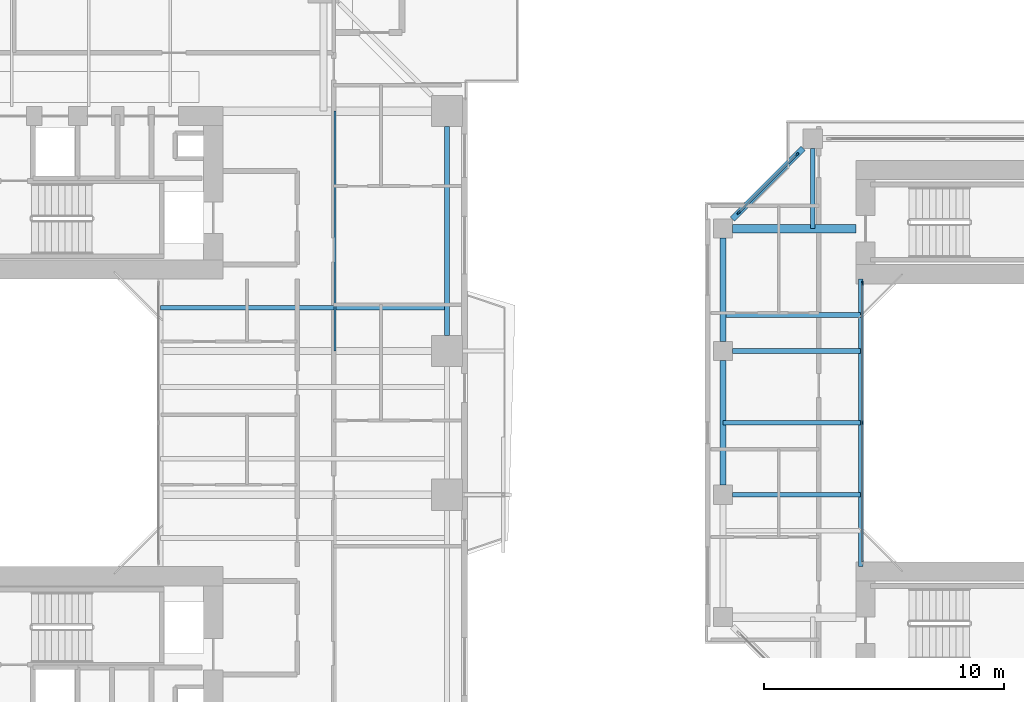
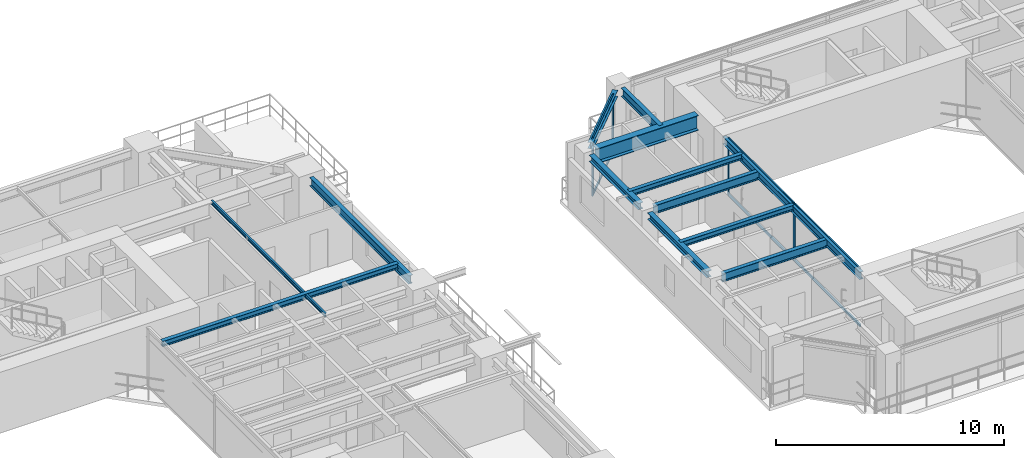
# One storey, part 8 of 23: 13 beams, 10 members, 2 elements without a shape of their own.
"""IFC4 building model written with IfcOpenShell, lengths in metres."""

import ifcopenshell
import ifcopenshell.guid

model = None  # the IFC model being written
_history = None  # IfcOwnerHistory: only IFC2X3 demands one
_inside = {}  # id of a spatial element -> (the spatial element, [elements in it])
_under = {}  # id of a project, library or spatial element -> (it, [spatial elements below it])
_declared = {}  # id of a project -> (the project, [libraries it declares])
_typed = {}  # id of a type object -> (the type object, [elements of that type])
_made_of = {}  # id of a material, layer set ... -> (it, [elements and type objects made of it])


def new_model(schema):
    """Start an empty IFC model of exactly this schema.

    Asked for "IFC4X3", IfcOpenShell would pick the latest addendum, in which some entities
    have other attributes; the version numbers below select the first issue.
    IFC2X3 requires an IfcOwnerHistory on every rooted entity: one is made here for all.
    """
    global model, _history
    if schema == "IFC4X3":
        model = ifcopenshell.file(schema_version=(4, 3, 0, 0))
    else:
        model = ifcopenshell.file(schema=schema)
    _inside.clear()
    _under.clear()
    _declared.clear()
    _typed.clear()
    _made_of.clear()
    _history = None
    if model.schema == "IFC2X3":
        org = make("IfcOrganization", Name="unknown")
        user = make(
            "IfcPersonAndOrganization",
            ThePerson=make("IfcPerson", FamilyName="unknown"),
            TheOrganization=org,
        )
        app = make(
            "IfcApplication",
            ApplicationDeveloper=org,
            Version="unknown",
            ApplicationFullName="unknown",
            ApplicationIdentifier="unknown",
        )
        _history = make(
            "IfcOwnerHistory",
            OwningUser=user,
            OwningApplication=app,
            ChangeAction="ADDED",
            CreationDate=0,
        )
    return model


def make(cls, **values):
    """One entity of the class cls with the attributes given. An attribute that is None is left unset."""
    return model.create_entity(
        cls, **{name: value for name, value in values.items() if value is not None}
    )


def rooted(cls, **values):
    """An entity with a GlobalId (a new one), such as an element, a storey or a relation."""
    return make(cls, GlobalId=ifcopenshell.guid.new(), OwnerHistory=_history, **values)


def si_unit(unit_type, name, prefix=None):
    """IfcSIUnit, for example si_unit("LENGTHUNIT", "METRE", prefix="MILLI")."""
    return make("IfcSIUnit", UnitType=unit_type, Prefix=prefix, Name=name)


def assignment(units):
    """IfcUnitAssignment: the units of a project."""
    return None if units is None else make("IfcUnitAssignment", Units=units)


def point(xyz):
    """IfcCartesianPoint."""
    return None if xyz is None else make("IfcCartesianPoint", Coordinates=xyz)


def direction(xyz):
    """IfcDirection."""
    return None if xyz is None else make("IfcDirection", DirectionRatios=xyz)


def frame(location, z_axis=None, x_axis=None):
    """IfcAxis2Placement3D, a coordinate frame: its origin and axes. An axis left out is left unset."""
    return make(
        "IfcAxis2Placement3D",
        Location=point(location),
        Axis=direction(z_axis),
        RefDirection=direction(x_axis),
    )


def frame_2d(location, x_axis=None):
    """IfcAxis2Placement2D, a coordinate frame in the plane: its origin and x axis."""
    return make(
        "IfcAxis2Placement2D", Location=point(location), RefDirection=direction(x_axis)
    )


def origin():
    """The frame at (0, 0, 0) with its axes left unset."""
    return frame((0.0, 0.0, 0.0))


def origin_2d():
    """The frame at (0, 0) in the plane with its x axis left unset."""
    return frame_2d((0.0, 0.0))


def place(relative_to, where):
    """IfcLocalPlacement: puts the frame where relative to a parent placement (None: the world)."""
    return make(
        "IfcLocalPlacement", PlacementRelTo=relative_to, RelativePlacement=where
    )


def context(
    kind, dimensions, precision=None, world=None, true_north=None, identifier=None
):
    """IfcGeometricRepresentationContext, for example the 3D "Model" context."""
    return make(
        "IfcGeometricRepresentationContext",
        ContextIdentifier=identifier,
        ContextType=kind,
        CoordinateSpaceDimension=dimensions,
        Precision=precision,
        WorldCoordinateSystem=world,
        TrueNorth=true_north,
    )


def subcontext(parent, identifier, kind, view, scale=None):
    """IfcGeometricRepresentationSubContext, for example "Body" below "Model"."""
    return make(
        "IfcGeometricRepresentationSubContext",
        ContextIdentifier=identifier,
        ContextType=kind,
        ParentContext=parent,
        TargetScale=scale,
        TargetView=view,
    )


def project(units=None, contexts=None):
    """IfcProject with its units and contexts."""
    return rooted(
        "IfcProject",
        Name="project",
        RepresentationContexts=contexts,
        UnitsInContext=assignment(units),
    )


def spatial(cls, under=None, at=None, **own):
    """A site, building, storey or space (cls), placed at a placement, below another one or the project."""
    s = rooted(cls, ObjectPlacement=at, **own)
    if under is not None:
        _under.setdefault(under.id(), (under, []))[1].append(s)
    return s


def profile(cls, at=None, kind="AREA", **sizes):
    """A parametric profile (cls). Its sizes go by their IFC names, for example OverallWidth=200.0."""
    return make(cls, ProfileType=kind, Position=at, **sizes)


def rectangle(**sizes):
    """IfcRectangleProfileDef."""
    return profile("IfcRectangleProfileDef", **sizes)


def i_section(**sizes):
    """IfcIShapeProfileDef."""
    return profile("IfcIShapeProfileDef", **sizes)


def extrude(swept, where, along, depth):
    """IfcExtrudedAreaSolid: the profile swept, set in the frame where, extruded along a direction by depth."""
    return make(
        "IfcExtrudedAreaSolid",
        SweptArea=swept,
        Position=where,
        ExtrudedDirection=direction(along),
        Depth=depth,
    )


def shape(context_of_items, identifier, shape_type, items):
    """IfcShapeRepresentation: the items that make up one representation, for example the "Body"."""
    return make(
        "IfcShapeRepresentation",
        ContextOfItems=context_of_items,
        RepresentationIdentifier=identifier,
        RepresentationType=shape_type,
        Items=items,
    )


def source(mapping_origin, context_of_items, identifier, shape_type, items):
    """IfcRepresentationMap: a shape defined once, which mapped items show again and again."""
    return make(
        "IfcRepresentationMap",
        MappingOrigin=mapping_origin,
        MappedRepresentation=shape(context_of_items, identifier, shape_type, items),
    )


def transform(
    local_origin,
    x_axis=None,
    y_axis=None,
    z_axis=None,
    scale=None,
    scale2=None,
    scale3=None,
    uniform=True,
):
    """IfcCartesianTransformationOperator3D, or its non-uniform kind. x_axis, y_axis, z_axis: its Axis1, 2, 3."""
    if uniform:
        return make(
            "IfcCartesianTransformationOperator3D",
            Axis1=direction(x_axis),
            Axis2=direction(y_axis),
            LocalOrigin=point(local_origin),
            Scale=scale,
            Axis3=direction(z_axis),
        )
    return make(
        "IfcCartesianTransformationOperator3DnonUniform",
        Axis1=direction(x_axis),
        Axis2=direction(y_axis),
        LocalOrigin=point(local_origin),
        Scale=scale,
        Axis3=direction(z_axis),
        Scale2=scale2,
        Scale3=scale3,
    )


def mapped(mapping_source, mapping_target):
    """IfcMappedItem: shows the shape of a source again, moved by a transform."""
    return make(
        "IfcMappedItem", MappingSource=mapping_source, MappingTarget=mapping_target
    )


def material(Name=None, Category=None):
    """IfcMaterial."""
    return make("IfcMaterial", Name=Name, Category=Category)


def layer(
    of_material, thickness, ventilated=None, Name=None, Category=None, Priority=None
):
    """IfcMaterialLayer: one layer of a wall or slab, of a material (None: an air gap)."""
    return make(
        "IfcMaterialLayer",
        Material=of_material,
        LayerThickness=thickness,
        IsVentilated=ventilated,
        Name=Name,
        Category=Category,
        Priority=Priority,
    )


def layer_set(layers, Name=None):
    """IfcMaterialLayerSet."""
    return make("IfcMaterialLayerSet", MaterialLayers=layers, LayerSetName=Name)


def material_profile(
    of_material, cross_section, Name=None, Category=None, Priority=None
):
    """IfcMaterialProfile: a cross section and its material."""
    return make(
        "IfcMaterialProfile",
        Name=Name,
        Material=of_material,
        Profile=cross_section,
        Priority=Priority,
        Category=Category,
    )


def profile_set(profiles, Name=None, composite=None):
    """IfcMaterialProfileSet."""
    return make(
        "IfcMaterialProfileSet",
        Name=Name,
        MaterialProfiles=profiles,
        CompositeProfile=composite,
    )


def made_of(thing, what):
    """Note that an element or type object is made of a material, layer set ...; save() writes the relation."""
    if what is not None:
        _made_of.setdefault(what.id(), (what, []))[1].append(thing)
    return thing


def type_object(cls, material=None, **own):
    """A type object (cls), such as IfcWallType, which elements share."""
    return made_of(rooted(cls, **own), material)


def element(
    cls,
    number,
    at=None,
    inside=None,
    cuts=None,
    type_object=None,
    material=None,
    context=None,
    identifier="Body",
    shape_type=None,
    held_by="IfcProductDefinitionShape",
    body=None,
    shapes=None,
    **own,
):
    """One element of the class cls, such as IfcWall. Its Tag is "e" and its number.

    at: its placement. inside: the storey or other place that contains it. cuts: it is an
    opening in that element (IfcRelVoidsElement). A single representation is given by context,
    identifier, shape_type and body (its items); several are given by shapes. held_by: the class
    of the entity that holds the representations. save() writes the other relations.
    """
    e = rooted(cls, Tag="e%d" % number, ObjectPlacement=at, **own)
    if body is not None:
        shapes = [shape(context, identifier, shape_type, body)]
    if shapes is not None:
        e.Representation = make(held_by, Representations=shapes)
    if inside is not None:
        _inside.setdefault(inside.id(), (inside, []))[1].append(e)
    if cuts is not None:
        rooted(
            "IfcRelVoidsElement", RelatingBuildingElement=cuts, RelatedOpeningElement=e
        )
    if type_object is not None:
        _typed.setdefault(type_object.id(), (type_object, []))[1].append(e)
    return made_of(e, material)


def aggregate(whole, parts):
    """IfcRelAggregates: a whole, such as a stair, and the parts it consists of."""
    return rooted("IfcRelAggregates", RelatingObject=whole, RelatedObjects=parts)


def save(model, path):
    """Write the relations noted so far, then the file.

    IfcRelAggregates (storeys below a building ...), IfcRelContainedInSpatialStructure (elements
    in a storey), IfcRelDefinesByType, IfcRelAssociatesMaterial and IfcRelDeclares: one each for
    every whole, place, type object, material and project.
    """
    for whole, parts in _under.values():
        aggregate(whole, parts)
    for where, things in _inside.values():
        rooted(
            "IfcRelContainedInSpatialStructure",
            RelatedElements=things,
            RelatingStructure=where,
        )
    for kind, things in _typed.values():
        rooted("IfcRelDefinesByType", RelatedObjects=things, RelatingType=kind)
    for what, things in _made_of.values():
        rooted("IfcRelAssociatesMaterial", RelatedObjects=things, RelatingMaterial=what)
    for by, libraries in _declared.values():
        rooted("IfcRelDeclares", RelatingContext=by, RelatedDefinitions=libraries)
    model.write(path)


model = new_model("IFC4")

# Units and contexts
model_context = context("Model", 3, precision=1e-05, world=origin(), true_north=direction((0.0, 1.0)))
body_context = subcontext(model_context, "Body", "Model", "MODEL_VIEW")
ifc_project = project(units=[si_unit("LENGTHUNIT", "METRE"), si_unit("AREAUNIT", "SQUARE_METRE"), si_unit("VOLUMEUNIT", "CUBIC_METRE"), si_unit("PLANEANGLEUNIT", "RADIAN"), si_unit("MASSUNIT", "GRAM", prefix="KILO"), si_unit("THERMODYNAMICTEMPERATUREUNIT", "KELVIN"), si_unit("POWERUNIT", "WATT")], contexts=[model_context])

# Site, building, storey
site_placement = place(None, origin())
site = spatial("IfcSite", under=ifc_project, at=site_placement, CompositionType="ELEMENT")
building_placement = place(site_placement, origin())
building = spatial("IfcBuilding", under=site, at=building_placement, Name="Qiaomeng Ring Towers", CompositionType="ELEMENT")
storey_placement = place(building_placement, frame((0.0, 0.0, 82.75)))
storey = spatial("IfcBuildingStorey", under=building, at=storey_placement, Name="L23", CompositionType="ELEMENT", Elevation=82.75)

# Beams
ifc_material_1 = material(Name="Steel Q355B", Category="steel")
ifc_material_profile_1 = material_profile(ifc_material_1, i_section(OverallWidth=0.199951171875, OverallDepth=0.449951171875, WebThickness=0.009033203125, FlangeThickness=0.013916015625, FilletRadius=0.01806640625, at=origin_2d()), Name="HN 450x200x9x14")
ifc_profile_set_1 = profile_set([ifc_material_profile_1], Name="Steel Q355B")
beam_type_1 = type_object("IfcBeamType", Name="STR-BM-HN450", PredefinedType="SPANDREL", material=ifc_profile_set_1)
shared_shape_1 = source(origin(), body_context, "Body", "SweptSolid", [
    extrude(i_section(OverallWidth=0.199951171875, OverallDepth=0.449951171875, WebThickness=0.009033203125, FlangeThickness=0.013916015625, FilletRadius=0.01806640625, at=origin_2d()), origin(), (0.0, 0.0, 1.0), 8.7021484375),
])
beam_1_placement = place(storey_placement, frame((37.14990234375, 26.64892578125, 2.844970703125), z_axis=(0.0, 1.0, 0.0), x_axis=(-1.0, 0.0, 0.0)))
element("IfcBeam", 1, at=beam_1_placement, inside=storey, type_object=beam_type_1, Name="L23 beam STR-SP-L23-T1-E3-E4", PredefinedType="SPANDREL", context=body_context, shape_type="MappedRepresentation", body=[
    mapped(shared_shape_1, transform((0.0, 0.0, 0.0), x_axis=(1.0, 0.0, 0.0), y_axis=(0.0, 1.0, 0.0), z_axis=(0.0, 0.0, 1.0), scale=1.0)),
])
ifc_material_profile_2 = material_profile(ifc_material_1, i_section(OverallWidth=0.199951171875, OverallDepth=0.2939453125, WebThickness=0.008056640625, FlangeThickness=0.011962890625, FilletRadius=0.01806640625, at=origin_2d()), Name="HM 294x200x8x12")
ifc_profile_set_2 = profile_set([ifc_material_profile_2], Name="Steel Q355B")
beam_type_2 = type_object("IfcBeamType", Name="STR-BM-HM294", PredefinedType="JOIST", material=ifc_profile_set_2)
shared_shape_2 = source(origin(), body_context, "Body", "SweptSolid", [
    extrude(i_section(OverallWidth=0.199951171875, OverallDepth=0.2939453125, WebThickness=0.008056640625, FlangeThickness=0.011962890625, FilletRadius=0.01806640625, at=origin_2d()), origin(), (0.0, 0.0, 1.0), 11.949951171875),
])
beam_2_placement = place(storey_placement, frame((25.199951171875, 27.800048828125, 2.923095703125), z_axis=(1.0, 0.0, 0.0), x_axis=(0.0, 1.0, 0.0)))
element("IfcBeam", 2, at=beam_2_placement, inside=storey, type_object=beam_type_2, Name="L23 beam STR-JST-L23-T1E-4", PredefinedType="JOIST", context=body_context, shape_type="MappedRepresentation", body=[
    mapped(shared_shape_2, transform((0.0, 0.0, 0.0), x_axis=(1.0, 0.0, 0.0), y_axis=(0.0, 1.0, 0.0), z_axis=(0.0, 0.0, 1.0), scale=1.0)),
])
ifc_material_profile_3 = material_profile(ifc_material_1, i_section(OverallWidth=0.10009765625, OverallDepth=0.199951171875, WebThickness=0.005615234375, FlangeThickness=0.008056640625, FilletRadius=0.010986328125, at=origin_2d()), Name="HN 200x100x5.5x8")
ifc_profile_set_3 = profile_set([ifc_material_profile_3], Name="Steel Q355B")
beam_type_3 = type_object("IfcBeamType", Name="STR-BM-HN200", PredefinedType="JOIST", material=ifc_profile_set_3)
shared_shape_3 = source(origin(), body_context, "Body", "SweptSolid", [
    extrude(i_section(OverallWidth=0.10009765625, OverallDepth=0.199951171875, WebThickness=0.005615234375, FlangeThickness=0.008056640625, FilletRadius=0.010986328125, at=origin_2d()), origin(), (0.0, 0.0, 1.0), 10.0),
])
beam_3_placement = place(storey_placement, frame((32.47509765625, 26.0, 2.969970703125), z_axis=(0.0, 1.0, 0.0), x_axis=(-1.0, 0.0, 0.0)))
element("IfcBeam", 3, at=beam_3_placement, inside=storey, type_object=beam_type_3, Name="L23 beam STR-JST-L23-T1C-EN", PredefinedType="JOIST", context=body_context, shape_type="MappedRepresentation", body=[
    mapped(shared_shape_3, transform((0.0, 0.0, 0.0), x_axis=(1.0, 0.0, 0.0), y_axis=(0.0, 1.0, 0.0), z_axis=(0.0, 0.0, 1.0), scale=1.0)),
])
ifc_material_profile_4 = material_profile(ifc_material_1, i_section(OverallWidth=0.199951171875, OverallDepth=0.39990234375, WebThickness=0.008056640625, FlangeThickness=0.012939453125, FilletRadius=0.01611328125, at=origin_2d()), Name="HN 400x200x8x13")
ifc_profile_set_4 = profile_set([ifc_material_profile_4], Name="Steel Q355B")
beam_type_4 = type_object("IfcBeamType", Name="STR-BM-HN400", PredefinedType="SPANDREL", material=ifc_profile_set_4)
shared_shape_4 = source(origin(), body_context, "Body", "SweptSolid", [
    extrude(i_section(OverallWidth=0.199951171875, OverallDepth=0.39990234375, WebThickness=0.008056640625, FlangeThickness=0.012939453125, FilletRadius=0.01611328125, at=origin_2d()), origin(), (0.0, 0.0, 1.0), 12.0),
])
beam_4_placement = place(storey_placement, frame((54.39990234375, 17.0, 2.8701171875), z_axis=(0.0, 1.0, 0.0), x_axis=(-1.0, 0.0, 0.0)))
element("IfcBeam", 4, at=beam_4_placement, inside=storey, type_object=beam_type_4, Name="L23 beam STR-BM-L23-T2-WELL-W", PredefinedType="SPANDREL", context=body_context, shape_type="MappedRepresentation", body=[
    mapped(shared_shape_4, transform((0.0, 0.0, 0.0), x_axis=(1.0, 0.0, 0.0), y_axis=(0.0, 1.0, 0.0), z_axis=(0.0, 0.0, 1.0), scale=1.0)),
])
ifc_material_profile_5 = material_profile(ifc_material_1, i_section(OverallWidth=0.25, OverallDepth=0.340087890625, WebThickness=0.009033203125, FlangeThickness=0.013916015625, FilletRadius=0.02001953125, at=origin_2d()), Name="HM 340x250x9x14")
ifc_profile_set_5 = profile_set([ifc_material_profile_5], Name="Steel Q355B")
beam_type_5 = type_object("IfcBeamType", Name="STR-BM-HM340", PredefinedType="SPANDREL", material=ifc_profile_set_5)
shared_shape_5 = source(origin(), body_context, "Body", "SweptSolid", [
    extrude(i_section(OverallWidth=0.25, OverallDepth=0.340087890625, WebThickness=0.009033203125, FlangeThickness=0.013916015625, FilletRadius=0.02001953125, at=origin_2d()), origin(), (0.0, 0.0, 1.0), 4.173828125),
])
beam_5_placement = place(storey_placement, frame((52.000732421875, 34.45068359375, 2.89990234375), z_axis=(-0.707106781187, -0.707106781187, 0.0), x_axis=(0.707106781187, -0.707106781187, 0.0)))
element("IfcBeam", 5, at=beam_5_placement, inside=storey, type_object=beam_type_5, Name="L23 beam STR-SP-L23-T2-N1-W4", PredefinedType="SPANDREL", context=body_context, shape_type="MappedRepresentation", body=[
    mapped(shared_shape_5, transform((0.0, 0.0, 0.0), x_axis=(1.0, 0.0, 0.0), y_axis=(0.0, 1.0, 0.0), z_axis=(0.0, 0.0, 1.0), scale=1.0)),
])
shared_shape_6 = source(origin(), body_context, "Body", "SweptSolid", [
    extrude(i_section(OverallWidth=0.25, OverallDepth=0.340087890625, WebThickness=0.009033203125, FlangeThickness=0.013916015625, FilletRadius=0.02001953125, at=origin_2d()), origin(), (0.0, 0.0, 1.0), 4.302001953125),
])
beam_6_placement = place(storey_placement, frame((48.64990234375, 30.700927734375, 2.89990234375), z_axis=(0.0, -1.0, 0.0), x_axis=(1.0, 0.0, 0.0)))
element("IfcBeam", 6, at=beam_6_placement, inside=storey, type_object=beam_type_5, Name="L23 beam STR-SP-L23-T2-W4-W3", PredefinedType="SPANDREL", context=body_context, shape_type="MappedRepresentation", body=[
    mapped(shared_shape_6, transform((0.0, 0.0, 0.0), x_axis=(1.0, 0.0, 0.0), y_axis=(0.0, 1.0, 0.0), z_axis=(0.0, 0.0, 1.0), scale=1.0)),
])
shared_shape_7 = source(origin(), body_context, "Body", "SweptSolid", [
    extrude(i_section(OverallWidth=0.25, OverallDepth=0.340087890625, WebThickness=0.009033203125, FlangeThickness=0.013916015625, FilletRadius=0.02001953125, at=origin_2d()), origin(), (0.0, 0.0, 1.0), 5.2021484375),
])
beam_7_placement = place(storey_placement, frame((48.64990234375, 25.60107421875, 2.89990234375), z_axis=(0.0, -1.0, 0.0), x_axis=(1.0, 0.0, 0.0)))
element("IfcBeam", 7, at=beam_7_placement, inside=storey, type_object=beam_type_5, Name="L23 beam STR-SP-L23-T2-W3-W2", PredefinedType="SPANDREL", context=body_context, shape_type="MappedRepresentation", body=[
    mapped(shared_shape_7, transform((0.0, 0.0, 0.0), x_axis=(1.0, 0.0, 0.0), y_axis=(0.0, 1.0, 0.0), z_axis=(0.0, 0.0, 1.0), scale=1.0)),
])
ifc_material_2 = material(Name="Steel Q390GJC", Category="steel")
ifc_material_profile_6 = material_profile(ifc_material_2, i_section(OverallWidth=0.35009765625, OverallDepth=0.800048828125, WebThickness=0.01611328125, FlangeThickness=0.028076171875, at=origin_2d()), Name="WH 800x350x16x28")
ifc_profile_set_6 = profile_set([ifc_material_profile_6], Name="Steel Q390GJC")
beam_type_6 = type_object("IfcBeamType", Name="STR-BM-WH800", PredefinedType="BEAM", material=ifc_profile_set_6)
shared_shape_8 = source(origin(), body_context, "Body", "SweptSolid", [
    extrude(i_section(OverallWidth=0.35009765625, OverallDepth=0.800048828125, WebThickness=0.01611328125, FlangeThickness=0.028076171875, at=origin_2d()), origin(), (0.0, 0.0, 1.0), 5.15087890625),
])
beam_8_placement = place(storey_placement, frame((49.049072265625, 31.10009765625, 2.669921875), z_axis=(1.0, 0.0, 0.0), x_axis=(0.0, 1.0, 0.0)))
element("IfcBeam", 8, at=beam_8_placement, inside=storey, type_object=beam_type_6, Name="L23 beam STR-BM-L23-T2-RAD-W4", PredefinedType="BEAM", context=body_context, shape_type="MappedRepresentation", body=[
    mapped(shared_shape_8, transform((0.0, 0.0, 0.0), x_axis=(1.0, 0.0, 0.0), y_axis=(0.0, 1.0, 0.0), z_axis=(0.0, 0.0, 1.0), scale=1.0)),
])
shared_shape_9 = source(origin(), body_context, "Body", "SweptSolid", [
    extrude(i_section(OverallWidth=0.199951171875, OverallDepth=0.449951171875, WebThickness=0.009033203125, FlangeThickness=0.013916015625, FilletRadius=0.01806640625, at=origin_2d()), origin(), (0.0, 0.0, 1.0), 5.350830078125),
])
for number, where, z_axis, x_axis, name in (
    (9, (49.049072265625, 20.0, 2.844970703125), (1.0, 0.0, 0.0), (0.0, 1.0, 0.0), "L23 beam STR-BM-L23-T2-RAD-W2"),
    (10, (49.049072265625, 26.0, 2.844970703125), (1.0, 0.0, 0.0), (0.0, 1.0, 0.0), "L23 beam STR-BM-L23-T2-RAD-W3"),
):
    element("IfcBeam", number, at=place(storey_placement, frame(where, z_axis=z_axis, x_axis=x_axis)), inside=storey, type_object=beam_type_1, Name=name, PredefinedType="SPANDREL", context=body_context, shape_type="MappedRepresentation", body=[
        mapped(shared_shape_9, transform((0.0, 0.0, 0.0), x_axis=(1.0, 0.0, 0.0), y_axis=(0.0, 1.0, 0.0), z_axis=(0.0, 0.0, 1.0), scale=1.0)),
    ])
shared_shape_10 = source(origin(), body_context, "Body", "SweptSolid", [
    extrude(i_section(OverallWidth=0.199951171875, OverallDepth=0.449951171875, WebThickness=0.009033203125, FlangeThickness=0.013916015625, FilletRadius=0.01806640625, at=origin_2d()), origin(), (0.0, 0.0, 1.0), 3.350830078125),
])
beam_9_placement = place(storey_placement, frame((52.39990234375, 34.450927734375, 2.844970703125), z_axis=(0.0, -1.0, 0.0), x_axis=(1.0, 0.0, 0.0)))
element("IfcBeam", 11, at=beam_9_placement, inside=storey, type_object=beam_type_1, Name="L23 beam STR-BM-L23-T2-RAD-N1", PredefinedType="SPANDREL", context=body_context, shape_type="MappedRepresentation", body=[
    mapped(shared_shape_10, transform((0.0, 0.0, 0.0), x_axis=(1.0, 0.0, 0.0), y_axis=(0.0, 1.0, 0.0), z_axis=(0.0, 0.0, 1.0), scale=1.0)),
])
shared_shape_11 = source(origin(), body_context, "Body", "SweptSolid", [
    extrude(i_section(OverallWidth=0.199951171875, OverallDepth=0.2939453125, WebThickness=0.008056640625, FlangeThickness=0.011962890625, FilletRadius=0.01806640625, at=origin_2d()), origin(), (0.0, 0.0, 1.0), 5.75),
])
for number, where, z_axis, x_axis, name in (
    (12, (48.64990234375, 23.0, 2.923095703125), (1.0, 0.0, 0.0), (0.0, 1.0, 0.0), "L23 beam STR-JST-L23-T2W-2"),
    (13, (48.64990234375, 27.5, 2.923095703125), (1.0, 0.0, 0.0), (0.0, 1.0, 0.0), "L23 beam STR-JST-L23-T2W-3"),
):
    element("IfcBeam", number, at=place(storey_placement, frame(where, z_axis=z_axis, x_axis=x_axis)), inside=storey, type_object=beam_type_2, Name=name, PredefinedType="JOIST", context=body_context, shape_type="MappedRepresentation", body=[
        mapped(shared_shape_11, transform((0.0, 0.0, 0.0), x_axis=(1.0, 0.0, 0.0), y_axis=(0.0, 1.0, 0.0), z_axis=(0.0, 0.0, 1.0), scale=1.0)),
    ])

# Curtain wall, members
ifc_material_3 = material(Name="Fluorocarbon dark-grey aluminium", Category="aluminium")
ifc_layer_1 = layer(ifc_material_3, 0.139892578125, Name="Fluorocarbon dark-grey aluminium")
ifc_layer_set_1 = layer_set([ifc_layer_1], Name="Fluorocarbon dark-grey aluminium")
curtain_wall_type_1 = type_object("IfcCurtainWallType", Name="ARC-CW-4", PredefinedType="NOTDEFINED", material=ifc_layer_set_1)
curtain_wall_1_placement = place(storey_placement, origin())
curtain_wall_1 = element("IfcCurtainWall", 14, at=curtain_wall_1_placement, inside=storey, type_object=curtain_wall_type_1, Name="L23 Curtain Wall CW4", PredefinedType="NOTDEFINED")
ifc_material_profile_7 = material_profile(ifc_material_3, rectangle(XDim=0.06494140625, YDim=0.159912109375, at=origin_2d()), Name="ALU MULL 65x160")
ifc_profile_set_7 = profile_set([ifc_material_profile_7], Name="Fluorocarbon dark-grey aluminium")
member_type_1 = type_object("IfcMemberType", Name="ARC-CWM-140", PredefinedType="MULLION", material=ifc_profile_set_7)
shared_shape_12 = source(origin(), body_context, "Body", "SweptSolid", [
    extrude(rectangle(XDim=0.06494140625, YDim=0.159912109375, at=origin_2d()), origin(), (0.0, 0.0, 1.0), 3.070068359375),
])
member_1_placement = place(storey_placement, frame((54.47998046875, 23.0, 0.0), z_axis=(0.0, 0.0, 1.0), x_axis=(-1.0, 0.0, 0.0)))
member_1 = element("IfcMember", 15, at=member_1_placement, type_object=member_type_1, Name="CW4 mullion 2", PredefinedType="MULLION", context=body_context, shape_type="MappedRepresentation", body=[
    mapped(shared_shape_12, transform((0.0, 0.0, 0.0), x_axis=(1.0, 0.0, 0.0), y_axis=(0.0, 1.0, 0.0), z_axis=(0.0, 0.0, 1.0), scale=1.0)),
])
member_2_placement = place(storey_placement, frame((54.47998046875, 28.8173828125, 0.0), z_axis=(0.0, 0.0, 1.0), x_axis=(-1.0, 0.0, 0.0)))
member_2 = element("IfcMember", 16, at=member_2_placement, type_object=member_type_1, Name="CW4 mullion 3", PredefinedType="MULLION", context=body_context, shape_type="MappedRepresentation", body=[
    mapped(shared_shape_12, transform((0.0, 0.0, 0.0), x_axis=(1.0, 0.0, 0.0), y_axis=(0.0, 1.0, 0.0), z_axis=(0.0, 0.0, 1.0), scale=1.0)),
])
ifc_material_profile_8 = material_profile(ifc_material_3, rectangle(XDim=0.06494140625, YDim=0.1298828125, at=origin_2d()), Name="ALU TRAN 65x130")
ifc_profile_set_8 = profile_set([ifc_material_profile_8], Name="Fluorocarbon dark-grey aluminium")
member_type_2 = type_object("IfcMemberType", Name="ARC-CWT-120", PredefinedType="USERDEFINED", material=ifc_profile_set_8)
shared_shape_13 = source(origin(), body_context, "Body", "SweptSolid", [
    extrude(rectangle(XDim=0.06494140625, YDim=0.1298828125, at=origin_2d()), origin(), (0.0, 0.0, 1.0), 5.75244140625),
])
member_3_placement = place(storey_placement, frame((54.47998046875, 17.215087890625, 0.032470703125), z_axis=(0.0, 1.0, 0.0), x_axis=(-1.0, 0.0, 0.0)))
member_3 = element("IfcMember", 17, at=member_3_placement, type_object=member_type_2, Name="CW4 transom 1.1", ObjectType="TRANSOM", PredefinedType="USERDEFINED", context=body_context, shape_type="MappedRepresentation", body=[
    mapped(shared_shape_13, transform((0.0, 0.0, 0.0), x_axis=(1.0, 0.0, 0.0), y_axis=(0.0, 1.0, 0.0), z_axis=(0.0, 0.0, 1.0), scale=1.0)),
])
member_4_placement = place(storey_placement, frame((54.47998046875, 17.215087890625, 3.03759765625), z_axis=(0.0, 1.0, 0.0), x_axis=(-1.0, 0.0, 0.0)))
member_4 = element("IfcMember", 18, at=member_4_placement, type_object=member_type_2, Name="CW4 transom 1.2", ObjectType="TRANSOM", PredefinedType="USERDEFINED", context=body_context, shape_type="MappedRepresentation", body=[
    mapped(shared_shape_13, transform((0.0, 0.0, 0.0), x_axis=(1.0, 0.0, 0.0), y_axis=(0.0, 1.0, 0.0), z_axis=(0.0, 0.0, 1.0), scale=1.0)),
])
member_5_placement = place(storey_placement, frame((54.47998046875, 23.032470703125, 0.032470703125), z_axis=(0.0, 1.0, 0.0), x_axis=(-1.0, 0.0, 0.0)))
member_5 = element("IfcMember", 19, at=member_5_placement, type_object=member_type_2, Name="CW4 transom 2.1", ObjectType="TRANSOM", PredefinedType="USERDEFINED", context=body_context, shape_type="MappedRepresentation", body=[
    mapped(shared_shape_13, transform((0.0, 0.0, 0.0), x_axis=(1.0, 0.0, 0.0), y_axis=(0.0, 1.0, 0.0), z_axis=(0.0, 0.0, 1.0), scale=1.0)),
])
member_6_placement = place(storey_placement, frame((54.47998046875, 23.032470703125, 3.03759765625), z_axis=(0.0, 1.0, 0.0), x_axis=(-1.0, 0.0, 0.0)))
member_6 = element("IfcMember", 20, at=member_6_placement, type_object=member_type_2, Name="CW4 transom 2.2", ObjectType="TRANSOM", PredefinedType="USERDEFINED", context=body_context, shape_type="MappedRepresentation", body=[
    mapped(shared_shape_13, transform((0.0, 0.0, 0.0), x_axis=(1.0, 0.0, 0.0), y_axis=(0.0, 1.0, 0.0), z_axis=(0.0, 0.0, 1.0), scale=1.0)),
])
aggregate(curtain_wall_1, [member_1, member_2, member_3, member_4, member_5, member_6])

ifc_layer_2 = layer(ifc_material_3, 0.14990234375, Name="Fluorocarbon dark-grey aluminium")
ifc_layer_set_2 = layer_set([ifc_layer_2], Name="Fluorocarbon dark-grey aluminium")
curtain_wall_type_2 = type_object("IfcCurtainWallType", Name="ARC-CW-5", PredefinedType="NOTDEFINED", material=ifc_layer_set_2)
curtain_wall_2_placement = place(storey_placement, origin())
curtain_wall_2 = element("IfcCurtainWall", 21, at=curtain_wall_2_placement, inside=storey, type_object=curtain_wall_type_2, Name="L23 Curtain Wall CW5", PredefinedType="NOTDEFINED")
ifc_material_profile_9 = material_profile(ifc_material_3, rectangle(XDim=0.070068359375, YDim=0.179931640625, at=origin_2d()), Name="ALU MULL 70x180")
ifc_profile_set_9 = profile_set([ifc_material_profile_9], Name="Fluorocarbon dark-grey aluminium")
member_type_3 = type_object("IfcMemberType", Name="ARC-CWM-160", PredefinedType="MULLION", material=ifc_profile_set_9)
shared_shape_14 = source(origin(), body_context, "Body", "SweptSolid", [
    extrude(rectangle(XDim=0.070068359375, YDim=0.179931640625, at=origin_2d()), origin(), (0.0, 0.0, 1.0), 3.070068359375),
])
member_7_placement = place(storey_placement, frame((51.7353515625, 34.185302734375, 0.0), z_axis=(0.0, 0.0, 1.0), x_axis=(0.707106781187, -0.707106781187, 0.0)))
member_7 = element("IfcMember", 22, at=member_7_placement, type_object=member_type_3, Name="CW5 mullion 1", PredefinedType="MULLION", context=body_context, shape_type="MappedRepresentation", body=[
    mapped(shared_shape_14, transform((0.0, 0.0, 0.0), x_axis=(1.0, 0.0, 0.0), y_axis=(0.0, 1.0, 0.0), z_axis=(0.0, 0.0, 1.0), scale=1.0)),
])
member_8_placement = place(storey_placement, frame((49.314697265625, 31.7646484375, 0.0), z_axis=(0.0, 0.0, 1.0), x_axis=(0.707106781187, -0.707106781187, 0.0)))
member_8 = element("IfcMember", 23, at=member_8_placement, type_object=member_type_3, Name="CW5 mullion 2", PredefinedType="MULLION", context=body_context, shape_type="MappedRepresentation", body=[
    mapped(shared_shape_14, transform((0.0, 0.0, 0.0), x_axis=(1.0, 0.0, 0.0), y_axis=(0.0, 1.0, 0.0), z_axis=(0.0, 0.0, 1.0), scale=1.0)),
])
shared_shape_15 = source(origin(), body_context, "Body", "SweptSolid", [
    extrude(rectangle(XDim=0.06494140625, YDim=0.1298828125, at=origin_2d()), origin(), (0.0, 0.0, 1.0), 3.352783203125),
])
member_9_placement = place(storey_placement, frame((51.71044921875, 34.160400390625, 0.032470703125), z_axis=(-0.707106781187, -0.707106781187, 0.0), x_axis=(0.707106781187, -0.707106781187, 0.0)))
member_9 = element("IfcMember", 24, at=member_9_placement, type_object=member_type_2, Name="CW5 transom 1.1", ObjectType="TRANSOM", PredefinedType="USERDEFINED", context=body_context, shape_type="MappedRepresentation", body=[
    mapped(shared_shape_15, transform((0.0, 0.0, 0.0), x_axis=(1.0, 0.0, 0.0), y_axis=(0.0, 1.0, 0.0), z_axis=(0.0, 0.0, 1.0), scale=1.0)),
])
member_10_placement = place(storey_placement, frame((51.71044921875, 34.160400390625, 3.03759765625), z_axis=(-0.707106781187, -0.707106781187, 0.0), x_axis=(0.707106781187, -0.707106781187, 0.0)))
member_10 = element("IfcMember", 25, at=member_10_placement, type_object=member_type_2, Name="CW5 transom 1.2", ObjectType="TRANSOM", PredefinedType="USERDEFINED", context=body_context, shape_type="MappedRepresentation", body=[
    mapped(shared_shape_15, transform((0.0, 0.0, 0.0), x_axis=(1.0, 0.0, 0.0), y_axis=(0.0, 1.0, 0.0), z_axis=(0.0, 0.0, 1.0), scale=1.0)),
])
aggregate(curtain_wall_2, [member_7, member_8, member_9, member_10])

save(model, "model.ifc")
